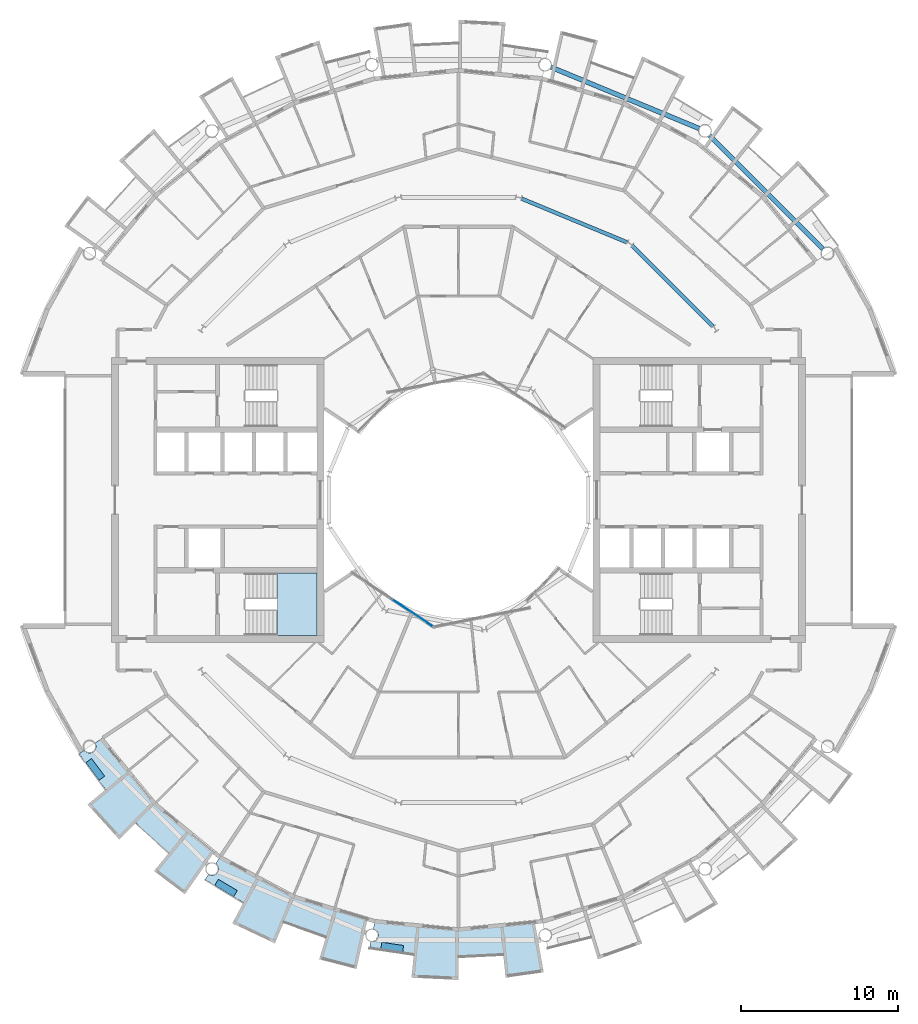
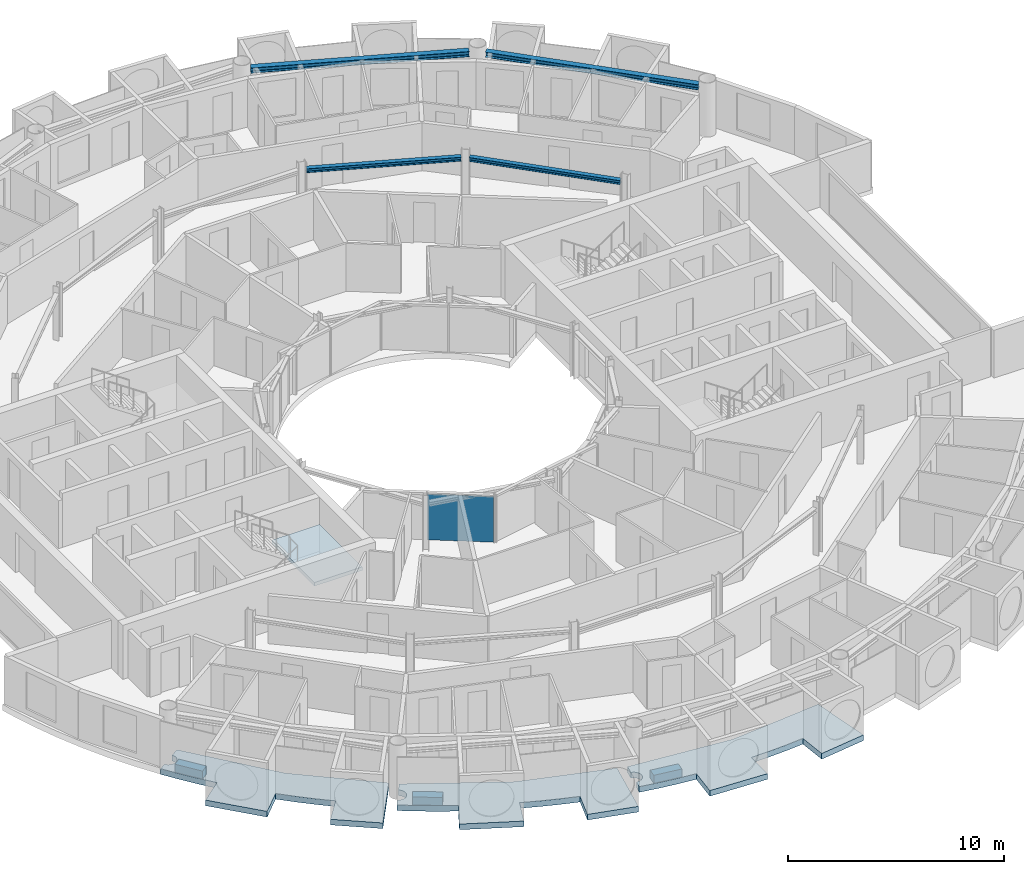
# One storey, part 11 of 28: 7 slabs, 4 beams, 1 plate, 2 elements without a shape of their own.
"""IFC4 building model written with IfcOpenShell, lengths in metres."""

from ifc_helpers import new_model, si_unit, direction, frame, origin, origin_2d, place, context, subcontext, project, spatial, polyline, rectangle, i_section, outline, extrude, material, layer, layer_set, material_profile, profile_set, type_object, element, aggregate, save


model = new_model("IFC4")

# Units and contexts
model_context = context("Model", 3, precision=1e-05, world=origin(), true_north=direction((0.0, 1.0)))
body_context = subcontext(model_context, "Body", "Model", "MODEL_VIEW")
ifc_project = project(units=[si_unit("LENGTHUNIT", "METRE"), si_unit("AREAUNIT", "SQUARE_METRE"), si_unit("VOLUMEUNIT", "CUBIC_METRE"), si_unit("PLANEANGLEUNIT", "RADIAN"), si_unit("MASSUNIT", "GRAM", prefix="KILO")], contexts=[model_context])

# Site, building, storey
site_placement = place(None, origin())
site = spatial("IfcSite", under=ifc_project, at=site_placement, CompositionType="ELEMENT")
building_placement = place(site_placement, origin())
building = spatial("IfcBuilding", under=site, at=building_placement, Name="Maasbend Ring Residences", CompositionType="ELEMENT")
storey_placement = place(building_placement, frame((0.0, 0.0, 196.300048828125)))
storey = spatial("IfcBuildingStorey", under=building, at=storey_placement, Name="L56", CompositionType="ELEMENT", Elevation=196.300048828125)

# Beams
ifc_material_1 = material(Name="Steel S355J2", Category="steel")
ifc_material_profile_1 = material_profile(ifc_material_1, i_section(OverallWidth=0.239990234375, OverallDepth=0.22998046875, WebThickness=0.007568359375, FlangeThickness=0.011962890625, FilletRadius=0.02099609375, at=origin_2d()), Name="HEA 240")
ifc_profile_set_1 = profile_set([ifc_material_profile_1], Name="Steel S355J2")
beam_type_1 = type_object("IfcBeamType", Name="Corridor ring beam HEA 240", PredefinedType="BEAM", material=ifc_profile_set_1)
beam_1_placement = place(storey_placement, frame((16.152587890625, 11.033447265625, 2.5849609375), z_axis=(-0.707106781187, 0.707106781187, 0.0), x_axis=(-0.707106781187, -0.707106781187, 0.0)))
element("IfcBeam", 1, at=beam_1_placement, inside=storey, type_object=beam_type_1, Name="Corridor ring beam", PredefinedType="BEAM", context=body_context, shape_type="SweptSolid", body=[
    extrude(i_section(OverallWidth=0.239990234375, OverallDepth=0.22998046875, WebThickness=0.007568359375, FlangeThickness=0.011962890625, FilletRadius=0.02099609375, at=origin_2d()), origin(), (0.0, 0.0, 1.0), 7.239501953125),
])
beam_2_placement = place(storey_placement, frame((10.70068359375, 16.374755859375, 2.5849609375), z_axis=(-0.923865162022, 0.382718123952, 0.0), x_axis=(-0.382718123952, -0.923865162022, 0.0)))
element("IfcBeam", 2, at=beam_2_placement, inside=storey, type_object=beam_type_1, Name="Corridor ring beam", PredefinedType="BEAM", context=body_context, shape_type="SweptSolid", body=[
    extrude(i_section(OverallWidth=0.239990234375, OverallDepth=0.22998046875, WebThickness=0.007568359375, FlangeThickness=0.011962890625, FilletRadius=0.02099609375, at=origin_2d()), origin(), (0.0, 0.0, 1.0), 7.23974609375),
])
ifc_material_2 = material(Name="Steel S355J2", Category="steel")
ifc_material_profile_2 = material_profile(ifc_material_2, i_section(OverallWidth=0.300048828125, OverallDepth=0.300048828125, WebThickness=0.010986328125, FlangeThickness=0.01904296875, FilletRadius=0.027099609375, at=origin_2d()), Name="HEB 300")
ifc_profile_set_2 = profile_set([ifc_material_profile_2], Name="Steel S355J2")
beam_type_2 = type_object("IfcBeamType", Name="Spandrel ring beam HEB 300", PredefinedType="SPANDREL", material=ifc_profile_set_2)
for number, where, z_axis, x_axis, name in (
    (3, (23.159912109375, 15.95458984375, 2.550048828125), (-0.707106781187, 0.707106781187, 0.0), (-0.707106781187, -0.707106781187, 0.0), "Spandrel ring beam"),
    (4, (15.29150390625, 23.60302734375, 2.550048828125), (-0.923883676188, 0.382673428492, 0.0), (-0.382673428492, -0.923883676188, 0.0), "Spandrel ring beam"),
):
    element("IfcBeam", number, at=place(storey_placement, frame(where, z_axis=z_axis, x_axis=x_axis)), inside=storey, type_object=beam_type_2, Name=name, PredefinedType="SPANDREL", context=body_context, shape_type="SweptSolid", body=[
        extrude(i_section(OverallWidth=0.300048828125, OverallDepth=0.300048828125, WebThickness=0.010986328125, FlangeThickness=0.01904296875, FilletRadius=0.027099609375, at=origin_2d()), origin(), (0.0, 0.0, 1.0), 10.18994140625),
    ])

# Stair, slab
ifc_material_3 = material(Name="Concrete C40/50", Category="concrete")
stair_type = type_object("IfcStairType", Name="CORE STAIR 18 RISERS", PredefinedType="HALF_TURN_STAIR", material=ifc_material_3)
stair_placement = place(storey_placement, origin())
stair = element("IfcStair", 5, at=stair_placement, inside=storey, type_object=stair_type, Name="L56 Exit stair ST-W1", PredefinedType="HALF_TURN_STAIR")
ifc_material_4 = material(Name="Concrete C40/50", Category="concrete")
ifc_layer_1 = layer(ifc_material_4, 0.199951171875)
ifc_layer_set_1 = layer_set([ifc_layer_1], Name="Concrete C40/50")
slab_type_1 = type_object("IfcSlabType", Name="CORE STAIR LANDING 200", PredefinedType="LANDING", material=ifc_layer_set_1)
slab_1_placement = place(storey_placement, frame((0.0, 0.0, 1.324951171875)))
slab_1 = element("IfcSlab", 6, at=slab_1_placement, type_object=slab_type_1, Name="ST-W1 landing 1", PredefinedType="LANDING", context=body_context, shape_type="SweptSolid", body=[
    extrude(outline(polyline([(-11.550048828125, -8.60009765625), (-9.0, -8.60009765625), (-9.0, -4.64990234375), (-11.550048828125, -4.64990234375), (-11.550048828125, -8.60009765625)])), origin(), (0.0, 0.0, 1.0), 0.199951171875),
])
aggregate(stair, [slab_1])

# Curtain wall, plate
ifc_material_5 = material(Name="Aluminium and clear glass", Category="aluminium")
ifc_layer_2 = layer(ifc_material_5, 0.179931640625)
ifc_layer_set_2 = layer_set([ifc_layer_2], Name="CW-W")
curtain_wall_type = type_object("IfcCurtainWallType", Name="CW-W", PredefinedType="NOTDEFINED", material=ifc_layer_set_2)
curtain_wall_placement = place(storey_placement, origin())
curtain_wall = element("IfcCurtainWall", 7, at=curtain_wall_placement, inside=storey, type_object=curtain_wall_type, Name="Well curtain wall S1", PredefinedType="NOTDEFINED")
ifc_material_6 = material(Name="Glass clear laminated", Category="glass")
ifc_layer_3 = layer(ifc_material_6, 0.031982421875)
ifc_layer_set_3 = layer_set([ifc_layer_3], Name="CWP-W")
plate_type = type_object("IfcPlateType", Name="CWP-W", PredefinedType="CURTAIN_PANEL", material=ifc_layer_set_3)
plate_placement = place(storey_placement, frame((-2.922119140625, -7.17578125, 0.0), z_axis=(0.0, 0.0, 1.0), x_axis=(0.831469612303, -0.55557023302, 0.0)))
plate = element("IfcPlate", 8, at=plate_placement, type_object=plate_type, Name="Glass panel well face", PredefinedType="CURTAIN_PANEL", context=body_context, shape_type="SweptSolid", body=[
    extrude(rectangle(XDim=3.053955078125, YDim=0.031982421875, at=origin_2d()), origin(), (0.0, 0.0, 1.0), 2.580078125),
])
aggregate(curtain_wall, [plate])

# Slabs
ifc_material_7 = material(Name="Planting with climbing greenery")
ifc_layer_4 = layer(ifc_material_7, 0.449951171875)
ifc_layer_set_4 = layer_set([ifc_layer_4], Name="PLANTER-LG")
slab_type_2 = type_object("IfcSlabType", Name="PLANTER-LG", PredefinedType="USERDEFINED", material=ifc_layer_set_4)
slab_2_placement = place(storey_placement, frame((0.0, 0.0, -0.030029296875)))
element("IfcSlab", 9, at=slab_2_placement, inside=storey, type_object=slab_type_2, Name="Planter with climbing greenery 1", ObjectType="PLANTER", PredefinedType="USERDEFINED", context=body_context, shape_type="SweptSolid", body=[
    extrude(outline(polyline([(-23.681884765625, -16.69189453125), (-22.847900390625, -17.81689453125), (-22.487060546875, -17.549072265625), (-23.321044921875, -16.424072265625), (-23.681884765625, -16.69189453125)])), origin(), (0.0, 0.0, 1.0), 0.449951171875),
])
slab_3_placement = place(storey_placement, frame((0.0, 0.0, -0.030029296875)))
element("IfcSlab", 10, at=slab_3_placement, inside=storey, type_object=slab_type_2, Name="Planter with climbing greenery 2", ObjectType="PLANTER", PredefinedType="USERDEFINED", context=body_context, shape_type="SweptSolid", body=[
    extrude(outline(polyline([(-15.490966796875, -24.48388671875), (-14.291015625, -25.2041015625), (-14.05908203125, -24.818115234375), (-15.260009765625, -24.097900390625), (-15.490966796875, -24.48388671875)])), origin(), (0.0, 0.0, 1.0), 0.449951171875),
])
slab_4_placement = place(storey_placement, frame((0.0, 0.0, -0.030029296875)))
element("IfcSlab", 11, at=slab_4_placement, inside=storey, type_object=slab_type_2, Name="Planter with climbing greenery 3", ObjectType="PLANTER", PredefinedType="USERDEFINED", context=body_context, shape_type="SweptSolid", body=[
    extrude(outline(polyline([(-4.94189453125, -28.549072265625), (-3.55810546875, -28.75390625), (-3.491943359375, -28.30908203125), (-4.8759765625, -28.10400390625), (-4.94189453125, -28.549072265625)])), origin(), (0.0, 0.0, 1.0), 0.449951171875),
])
ifc_material_8 = material(Name="Concrete C40/50", Category="concrete")
ifc_layer_5 = layer(ifc_material_8, 0.199951171875)
ifc_layer_set_5 = layer_set([ifc_layer_5], Name="Concrete C40/50")
slab_type_3 = type_object("IfcSlabType", Name="SL-LOGGIA", PredefinedType="FLOOR", material=ifc_layer_set_5)
slab_5_placement = place(storey_placement, frame((0.0, 0.0, -0.35009765625)))
element("IfcSlab", 12, at=slab_5_placement, inside=storey, type_object=slab_type_3, Name="Loggia floor 1", PredefinedType="FLOOR", context=body_context, shape_type="SweptSolid", body=[
    extrude(outline(polyline([(-15.866943359375, -23.801025390625), (-15.85888671875, -23.805908203125), (-15.85009765625, -23.81005859375), (-15.841064453125, -23.81494140625), (-15.83203125, -23.819091796875), (-15.822998046875, -23.822998046875), (-15.81298828125, -23.826904296875), (-15.803955078125, -23.830078125), (-15.794921875, -23.8330078125), (-15.784912109375, -23.8359375), (-15.77587890625, -23.839111328125), (-15.76611328125, -23.842041015625), (-15.756103515625, -23.843994140625), (-15.74609375, -23.845947265625), (-15.737060546875, -23.847900390625), (-15.72705078125, -23.85009765625), (-15.717041015625, -23.85107421875), (-15.70703125, -23.85205078125), (-15.697021484375, -23.85302734375), (-15.68701171875, -23.85302734375), (-15.677001953125, -23.85400390625), (-15.6669921875, -23.85400390625), (-15.656982421875, -23.85400390625), (-15.64697265625, -23.85302734375), (-15.636962890625, -23.85302734375), (-15.626953125, -23.85205078125), (-15.616943359375, -23.85107421875), (-15.60693359375, -23.85009765625), (-15.597900390625, -23.847900390625), (-15.587890625, -23.845947265625), (-15.577880859375, -23.843994140625), (-15.568115234375, -23.842041015625), (-15.55908203125, -23.839111328125), (-15.549072265625, -23.8359375), (-15.5400390625, -23.8330078125), (-15.530029296875, -23.830078125), (-15.52099609375, -23.826904296875), (-15.511962890625, -23.822998046875), (-15.501953125, -23.819091796875), (-15.492919921875, -23.81494140625), (-15.48388671875, -23.81005859375), (-15.47509765625, -23.805908203125), (-15.467041015625, -23.801025390625), (-15.4580078125, -23.7958984375), (-15.449951171875, -23.791015625), (-15.44091796875, -23.784912109375), (-15.43310546875, -23.780029296875), (-15.425048828125, -23.77392578125), (-15.4169921875, -23.76806640625), (-15.408935546875, -23.761962890625), (-15.402099609375, -23.7548828125), (-15.39404296875, -23.7490234375), (-15.386962890625, -23.741943359375), (-15.3798828125, -23.735107421875), (-15.373046875, -23.72802734375), (-15.365966796875, -23.719970703125), (-15.35888671875, -23.712890625), (-15.35302734375, -23.705078125), (-15.346923828125, -23.697021484375), (-15.341064453125, -23.68994140625), (-15.3349609375, -23.680908203125), (-15.3291015625, -23.673095703125), (-15.323974609375, -23.6650390625), (-15.318115234375, -23.656005859375), (-15.31298828125, -23.64794921875), (-15.30908203125, -23.638916015625), (-15.303955078125, -23.6298828125), (-15.300048828125, -23.62109375), (-15.294921875, -23.612060546875), (-15.2919921875, -23.60302734375), (-15.2880859375, -23.593994140625), (-15.283935546875, -23.583984375), (-15.281005859375, -23.574951171875), (-15.278076171875, -23.56494140625), (-15.27490234375, -23.555908203125), (-15.27294921875, -23.5458984375), (-15.27001953125, -23.535888671875), (-15.26806640625, -23.527099609375), (-15.26708984375, -23.51708984375), (-15.264892578125, -23.507080078125), (-15.263916015625, -23.4970703125), (-15.262939453125, -23.487060546875), (-15.261962890625, -23.47705078125), (-15.260986328125, -23.467041015625), (-15.260986328125, -23.45703125), (-15.260986328125, -23.447021484375), (-15.260986328125, -23.43701171875), (-15.260986328125, -23.427001953125), (-15.261962890625, -23.4169921875), (-15.262939453125, -23.407958984375), (-15.263916015625, -23.39794921875), (-15.264892578125, -23.387939453125), (-15.26708984375, -23.3779296875), (-15.26806640625, -23.367919921875), (-15.27001953125, -23.35791015625), (-15.27294921875, -23.34912109375), (-15.27490234375, -23.339111328125), (-15.278076171875, -23.3291015625), (-15.281005859375, -23.320068359375), (-15.283935546875, -23.31005859375), (-15.2880859375, -23.301025390625), (-15.2919921875, -23.2919921875), (-15.294921875, -23.282958984375), (-15.300048828125, -23.27392578125), (-15.303955078125, -23.264892578125), (-15.30908203125, -23.256103515625), (-15.31298828125, -23.2470703125), (-15.318115234375, -23.238037109375), (-15.323974609375, -23.22998046875), (-15.3291015625, -23.221923828125), (-15.3349609375, -23.212890625), (-15.341064453125, -23.205078125), (-15.346923828125, -23.197021484375), (-15.35302734375, -23.18994140625), (-15.35888671875, -23.181884765625), (-15.365966796875, -23.174072265625), (-15.373046875, -23.1669921875), (-15.3798828125, -23.159912109375), (-15.386962890625, -23.153076171875), (-15.39404296875, -23.14599609375), (-15.402099609375, -23.139892578125), (-15.408935546875, -23.133056640625), (-15.4169921875, -23.126953125), (-15.425048828125, -23.12109375), (-15.43310546875, -23.114990234375), (-15.44091796875, -23.10888671875), (-15.1669921875, -22.698974609375), (-15.1669921875, -22.698974609375), (-15.1669921875, -22.698974609375), (-12.806884765625, -23.9609375), (-10.447021484375, -25.221923828125), (-10.447021484375, -25.221923828125), (-10.447021484375, -25.221923828125), (-7.886962890625, -25.9990234375), (-5.797119140625, -26.633056640625), (-5.797119140625, -26.633056640625), (-5.797119140625, -26.633056640625), (-6.487060546875, -29.802001953125), (-6.487060546875, -29.802001953125), (-6.487060546875, -29.802001953125), (-8.85400390625, -29.18701171875), (-8.85400390625, -29.18701171875), (-8.85400390625, -29.18701171875), (-8.41796875, -27.751953125), (-8.41796875, -27.751953125), (-8.41796875, -27.751953125), (-8.41796875, -27.751953125), (-8.41796875, -27.751953125), (-8.41796875, -27.751953125), (-8.41796875, -27.7509765625), (-8.41796875, -27.7509765625), (-8.41796875, -27.7509765625), (-8.41796875, -27.7509765625), (-8.41796875, -27.7509765625), (-8.4189453125, -27.7509765625), (-8.4189453125, -27.7509765625), (-8.4189453125, -27.7509765625), (-8.4189453125, -27.7509765625), (-8.4189453125, -27.7509765625), (-8.4189453125, -27.7509765625), (-9.322021484375, -27.4609375), (-9.322021484375, -27.4609375), (-10.215087890625, -27.14111328125), (-10.215087890625, -27.14111328125), (-11.096923828125, -26.79296875), (-11.096923828125, -26.79296875), (-11.096923828125, -26.79296875), (-11.097900390625, -26.79296875), (-11.097900390625, -26.79296875), (-11.097900390625, -26.79296875), (-11.097900390625, -26.79296875), (-11.097900390625, -26.79296875), (-11.097900390625, -26.79296875), (-11.097900390625, -26.79296875), (-11.097900390625, -26.79296875), (-11.097900390625, -26.79296875), (-11.097900390625, -26.79296875), (-11.097900390625, -26.79296875), (-11.097900390625, -26.79296875), (-11.097900390625, -26.79296875), (-11.097900390625, -26.79296875), (-11.672119140625, -28.177978515625), (-11.672119140625, -28.177978515625), (-11.672119140625, -28.177978515625), (-14.3779296875, -26.89892578125), (-14.3779296875, -26.89892578125), (-14.3779296875, -26.89892578125), (-13.6708984375, -25.575927734375), (-13.6708984375, -25.575927734375), (-13.6708984375, -25.575927734375), (-13.6708984375, -25.575927734375), (-13.6708984375, -25.575927734375), (-13.6708984375, -25.575927734375), (-13.6708984375, -25.575927734375), (-13.6708984375, -25.575927734375), (-13.6708984375, -25.575927734375), (-13.6708984375, -25.575927734375), (-13.6708984375, -25.575927734375), (-13.6708984375, -25.575927734375), (-13.6708984375, -25.575927734375), (-13.6708984375, -25.575927734375), (-13.6708984375, -25.575927734375), (-13.6708984375, -25.575927734375), (-13.6708984375, -25.574951171875), (-14.5, -25.114990234375), (-14.5, -25.114990234375), (-15.31396484375, -24.626953125), (-15.31396484375, -24.626953125), (-16.112060546875, -24.113037109375), (-16.112060546875, -24.113037109375), (-16.112060546875, -24.113037109375), (-15.89306640625, -23.784912109375), (-15.885009765625, -23.791015625), (-15.8759765625, -23.7958984375), (-15.866943359375, -23.801025390625)])), origin(), (0.0, 0.0, 1.0), 0.320068359375),
])
slab_6_placement = place(storey_placement, frame((0.0, 0.0, -0.35009765625)))
element("IfcSlab", 13, at=slab_6_placement, inside=storey, type_object=slab_type_3, Name="Loggia floor 3", PredefinedType="FLOOR", context=body_context, shape_type="SweptSolid", body=[
    extrude(outline(polyline([(-2.6630859375, -27.0380859375), (0.0, -27.300048828125), (0.0, -27.300048828125), (0.0, -27.300048828125), (2.6630859375, -27.0380859375), (4.8359375, -26.823974609375), (4.8359375, -26.823974609375), (4.8359375, -26.823974609375), (5.412109375, -30.01611328125), (5.412109375, -30.01611328125), (5.412109375, -30.01611328125), (2.989990234375, -30.35302734375), (2.989990234375, -30.35302734375), (2.989990234375, -30.35302734375), (2.843017578125, -28.861083984375), (2.843017578125, -28.861083984375), (2.843017578125, -28.861083984375), (2.843017578125, -28.861083984375), (2.842041015625, -28.861083984375), (2.842041015625, -28.861083984375), (2.842041015625, -28.861083984375), (2.842041015625, -28.861083984375), (2.842041015625, -28.861083984375), (2.842041015625, -28.860107421875), (2.842041015625, -28.860107421875), (2.842041015625, -28.860107421875), (2.842041015625, -28.860107421875), (2.842041015625, -28.860107421875), (2.842041015625, -28.860107421875), (2.842041015625, -28.860107421875), (2.842041015625, -28.860107421875), (1.89697265625, -28.93798828125), (1.89697265625, -28.93798828125), (0.948974609375, -28.98388671875), (0.948974609375, -28.98388671875), (0.0, -29.0), (0.0, -29.0), (0.0, -29.0), (0.0, -29.0), (0.0, -29.0), (0.0, -29.0), (0.0, -29.0), (0.0, -29.0), (0.0, -29.0), (0.0, -29.0), (0.0, -29.0), (0.0, -29.0), (0.0, -29.0), (0.0, -29.0), (0.0, -29.0), (0.0, -29.0), (0.0, -29.0), (0.0, -30.5), (0.0, -30.5), (0.0, -30.5), (-2.989990234375, -30.35302734375), (-2.989990234375, -30.35302734375), (-2.989990234375, -30.35302734375), (-2.843017578125, -28.861083984375), (-2.843017578125, -28.861083984375), (-2.843017578125, -28.861083984375), (-2.843017578125, -28.861083984375), (-2.843017578125, -28.861083984375), (-2.843017578125, -28.861083984375), (-2.843017578125, -28.861083984375), (-2.843017578125, -28.861083984375), (-2.843017578125, -28.860107421875), (-2.843017578125, -28.860107421875), (-2.843017578125, -28.860107421875), (-2.843017578125, -28.860107421875), (-2.843017578125, -28.860107421875), (-2.843017578125, -28.860107421875), (-2.843017578125, -28.860107421875), (-2.843017578125, -28.860107421875), (-2.843017578125, -28.860107421875), (-3.784912109375, -28.751953125), (-3.784912109375, -28.751953125), (-4.72412109375, -28.613037109375), (-4.72412109375, -28.613037109375), (-5.657958984375, -28.443115234375), (-5.657958984375, -28.443115234375), (-5.657958984375, -28.443115234375), (-5.5810546875, -28.056884765625), (-5.5810546875, -28.056884765625), (-5.571044921875, -28.05908203125), (-5.56103515625, -28.06005859375), (-5.551025390625, -28.06201171875), (-5.541015625, -28.06298828125), (-5.531005859375, -28.06298828125), (-5.52099609375, -28.06396484375), (-5.510986328125, -28.06396484375), (-5.501953125, -28.06494140625), (-5.491943359375, -28.06396484375), (-5.48193359375, -28.06396484375), (-5.471923828125, -28.06298828125), (-5.4619140625, -28.06298828125), (-5.451904296875, -28.06201171875), (-5.44189453125, -28.06005859375), (-5.431884765625, -28.05908203125), (-5.422119140625, -28.056884765625), (-5.412109375, -28.054931640625), (-5.403076171875, -28.052001953125), (-5.39306640625, -28.050048828125), (-5.383056640625, -28.047119140625), (-5.3740234375, -28.0439453125), (-5.364990234375, -28.041015625), (-5.35498046875, -28.037109375), (-5.345947265625, -28.033935546875), (-5.3369140625, -28.030029296875), (-5.327880859375, -28.02587890625), (-5.319091796875, -28.02099609375), (-5.31005859375, -28.01708984375), (-5.301025390625, -28.011962890625), (-5.29296875, -28.007080078125), (-5.283935546875, -28.001953125), (-5.27587890625, -27.99609375), (-5.26708984375, -27.989990234375), (-5.259033203125, -27.985107421875), (-5.2509765625, -27.97900390625), (-5.243896484375, -27.971923828125), (-5.236083984375, -27.966064453125), (-5.22900390625, -27.958984375), (-5.220947265625, -27.952880859375), (-5.214111328125, -27.946044921875), (-5.20703125, -27.93798828125), (-5.199951171875, -27.930908203125), (-5.194091796875, -27.924072265625), (-5.18701171875, -27.916015625), (-5.180908203125, -27.907958984375), (-5.175048828125, -27.89990234375), (-5.1689453125, -27.89208984375), (-5.1640625, -27.884033203125), (-5.157958984375, -27.8759765625), (-5.153076171875, -27.866943359375), (-5.14794921875, -27.85791015625), (-5.14306640625, -27.85009765625), (-5.137939453125, -27.841064453125), (-5.134033203125, -27.83203125), (-5.1298828125, -27.822998046875), (-5.1259765625, -27.81396484375), (-5.1220703125, -27.803955078125), (-5.118896484375, -27.794921875), (-5.115966796875, -27.785888671875), (-5.113037109375, -27.77587890625), (-5.110107421875, -27.76708984375), (-5.10693359375, -27.757080078125), (-5.10498046875, -27.7470703125), (-5.10302734375, -27.737060546875), (-5.10107421875, -27.72802734375), (-5.09912109375, -27.718017578125), (-5.097900390625, -27.7080078125), (-5.096923828125, -27.697998046875), (-5.095947265625, -27.68798828125), (-5.094970703125, -27.677978515625), (-5.094970703125, -27.66796875), (-5.094970703125, -27.657958984375), (-5.094970703125, -27.64794921875), (-5.094970703125, -27.637939453125), (-5.095947265625, -27.6279296875), (-5.096923828125, -27.617919921875), (-5.097900390625, -27.60791015625), (-5.09912109375, -27.597900390625), (-5.10107421875, -27.589111328125), (-5.10302734375, -27.5791015625), (-5.10498046875, -27.569091796875), (-5.10693359375, -27.55908203125), (-5.110107421875, -27.550048828125), (-5.113037109375, -27.5400390625), (-5.115966796875, -27.531005859375), (-5.118896484375, -27.52099609375), (-5.1220703125, -27.511962890625), (-5.1259765625, -27.5029296875), (-5.1298828125, -27.492919921875), (-5.134033203125, -27.48388671875), (-5.137939453125, -27.47509765625), (-5.14306640625, -27.466064453125), (-5.14794921875, -27.4580078125), (-5.153076171875, -27.448974609375), (-5.157958984375, -27.44091796875), (-5.1640625, -27.431884765625), (-5.1689453125, -27.424072265625), (-5.175048828125, -27.416015625), (-5.180908203125, -27.407958984375), (-5.18701171875, -27.39990234375), (-5.194091796875, -27.39306640625), (-5.199951171875, -27.385009765625), (-5.20703125, -27.3779296875), (-5.214111328125, -27.37109375), (-5.220947265625, -27.364013671875), (-5.22900390625, -27.35693359375), (-5.236083984375, -27.35009765625), (-5.243896484375, -27.343994140625), (-5.2509765625, -27.337890625), (-5.259033203125, -27.33203125), (-5.26708984375, -27.325927734375), (-5.27587890625, -27.320068359375), (-5.283935546875, -27.31494140625), (-5.29296875, -27.30908203125), (-5.301025390625, -27.303955078125), (-5.31005859375, -27.300048828125), (-5.319091796875, -27.294921875), (-5.327880859375, -27.291015625), (-5.3369140625, -27.285888671875), (-5.345947265625, -27.282958984375), (-5.35498046875, -27.279052734375), (-5.364990234375, -27.27490234375), (-5.3740234375, -27.27197265625), (-5.383056640625, -27.26904296875), (-5.39306640625, -27.26611328125), (-5.403076171875, -27.263916015625), (-5.412109375, -27.260986328125), (-5.422119140625, -27.259033203125), (-5.422119140625, -27.259033203125), (-5.325927734375, -26.77490234375), (-5.325927734375, -26.77490234375), (-5.325927734375, -26.77490234375), (-2.6630859375, -27.0380859375)])), origin(), (0.0, 0.0, 1.0), 0.320068359375),
])
slab_7_placement = place(storey_placement, frame((0.0, 0.0, -0.35009765625)))
element("IfcSlab", 14, at=slab_7_placement, inside=storey, type_object=slab_type_3, Name="Loggia floor 4", PredefinedType="FLOOR", context=body_context, shape_type="SweptSolid", body=[
    extrude(outline(polyline([(-23.77392578125, -15.908935546875), (-23.76806640625, -15.9169921875), (-23.761962890625, -15.925048828125), (-23.7548828125, -15.93310546875), (-23.7490234375, -15.93994140625), (-23.741943359375, -15.947021484375), (-23.735107421875, -15.955078125), (-23.72802734375, -15.9619140625), (-23.719970703125, -15.968017578125), (-23.712890625, -15.97509765625), (-23.705078125, -15.98095703125), (-23.697021484375, -15.988037109375), (-23.68994140625, -15.993896484375), (-23.680908203125, -15.9990234375), (-23.673095703125, -16.0048828125), (-23.6650390625, -16.010986328125), (-23.656005859375, -16.01611328125), (-23.64794921875, -16.02099609375), (-23.638916015625, -16.02587890625), (-23.6298828125, -16.030029296875), (-23.62109375, -16.034912109375), (-23.612060546875, -16.0390625), (-23.60302734375, -16.04296875), (-23.593994140625, -16.0458984375), (-23.583984375, -16.050048828125), (-23.574951171875, -16.052978515625), (-23.56494140625, -16.055908203125), (-23.555908203125, -16.05908203125), (-23.5458984375, -16.06103515625), (-23.535888671875, -16.06396484375), (-23.527099609375, -16.06591796875), (-23.51708984375, -16.068115234375), (-23.507080078125, -16.069091796875), (-23.4970703125, -16.071044921875), (-23.487060546875, -16.072021484375), (-23.47705078125, -16.072021484375), (-23.467041015625, -16.072998046875), (-23.45703125, -16.072998046875), (-23.447021484375, -16.073974609375), (-23.43701171875, -16.072998046875), (-23.427001953125, -16.072998046875), (-23.4169921875, -16.072021484375), (-23.407958984375, -16.072021484375), (-23.39794921875, -16.071044921875), (-23.387939453125, -16.069091796875), (-23.3779296875, -16.068115234375), (-23.367919921875, -16.06591796875), (-23.35791015625, -16.06396484375), (-23.34912109375, -16.06103515625), (-23.339111328125, -16.05908203125), (-23.3291015625, -16.055908203125), (-23.320068359375, -16.052978515625), (-23.31005859375, -16.050048828125), (-23.301025390625, -16.0458984375), (-23.2919921875, -16.04296875), (-23.282958984375, -16.0390625), (-23.27392578125, -16.034912109375), (-23.264892578125, -16.030029296875), (-23.256103515625, -16.02587890625), (-23.2470703125, -16.02099609375), (-23.238037109375, -16.01611328125), (-23.22998046875, -16.010986328125), (-23.221923828125, -16.0048828125), (-23.212890625, -15.9990234375), (-23.205078125, -15.993896484375), (-23.197021484375, -15.988037109375), (-23.18994140625, -15.98095703125), (-23.181884765625, -15.97509765625), (-23.174072265625, -15.968017578125), (-23.1669921875, -15.9619140625), (-23.159912109375, -15.955078125), (-23.153076171875, -15.947021484375), (-23.14599609375, -15.93994140625), (-23.139892578125, -15.93310546875), (-23.133056640625, -15.925048828125), (-23.126953125, -15.9169921875), (-23.12109375, -15.908935546875), (-23.114990234375, -15.90087890625), (-23.10888671875, -15.89306640625), (-23.10400390625, -15.885009765625), (-23.09912109375, -15.8759765625), (-23.093994140625, -15.866943359375), (-23.089111328125, -15.85888671875), (-23.083984375, -15.85009765625), (-23.080078125, -15.841064453125), (-23.075927734375, -15.83203125), (-23.072021484375, -15.822998046875), (-23.068115234375, -15.81298828125), (-23.06494140625, -15.803955078125), (-23.06103515625, -15.794921875), (-23.05810546875, -15.784912109375), (-23.055908203125, -15.77587890625), (-23.052978515625, -15.76611328125), (-23.051025390625, -15.756103515625), (-23.049072265625, -15.74609375), (-23.047119140625, -15.737060546875), (-23.044921875, -15.72705078125), (-23.0439453125, -15.717041015625), (-23.04296875, -15.70703125), (-23.0419921875, -15.697021484375), (-23.041015625, -15.68701171875), (-23.041015625, -15.677001953125), (-23.041015625, -15.6669921875), (-23.041015625, -15.656982421875), (-23.041015625, -15.64697265625), (-23.0419921875, -15.636962890625), (-23.04296875, -15.626953125), (-23.0439453125, -15.616943359375), (-23.044921875, -15.60693359375), (-23.047119140625, -15.597900390625), (-23.049072265625, -15.587890625), (-23.051025390625, -15.577880859375), (-23.052978515625, -15.568115234375), (-23.055908203125, -15.55908203125), (-23.05810546875, -15.549072265625), (-23.06103515625, -15.5400390625), (-23.06494140625, -15.530029296875), (-23.068115234375, -15.52099609375), (-23.072021484375, -15.511962890625), (-23.075927734375, -15.501953125), (-23.080078125, -15.492919921875), (-23.083984375, -15.48388671875), (-23.089111328125, -15.47509765625), (-23.093994140625, -15.467041015625), (-23.09912109375, -15.4580078125), (-23.10400390625, -15.449951171875), (-23.10888671875, -15.44091796875), (-23.10888671875, -15.44091796875), (-22.698974609375, -15.1669921875), (-22.698974609375, -15.1669921875), (-22.698974609375, -15.1669921875), (-21.001953125, -17.236083984375), (-19.303955078125, -19.303955078125), (-19.303955078125, -19.303955078125), (-19.303955078125, -19.303955078125), (-17.236083984375, -21.001953125), (-15.547119140625, -22.386962890625), (-15.547119140625, -22.386962890625), (-15.547119140625, -22.386962890625), (-17.39794921875, -25.051025390625), (-17.39794921875, -25.051025390625), (-17.39794921875, -25.051025390625), (-19.34912109375, -23.576904296875), (-19.34912109375, -23.576904296875), (-19.34912109375, -23.576904296875), (-18.39794921875, -22.41796875), (-18.39794921875, -22.41796875), (-18.39794921875, -22.41796875), (-18.39794921875, -22.41796875), (-18.39794921875, -22.41796875), (-18.39794921875, -22.4169921875), (-18.39794921875, -22.4169921875), (-18.39794921875, -22.4169921875), (-18.39794921875, -22.4169921875), (-18.39794921875, -22.4169921875), (-18.39794921875, -22.4169921875), (-18.39794921875, -22.4169921875), (-18.39794921875, -22.4169921875), (-18.39794921875, -22.4169921875), (-18.39794921875, -22.4169921875), (-18.39794921875, -22.4169921875), (-18.39794921875, -22.4169921875), (-19.12109375, -21.802978515625), (-19.12109375, -21.802978515625), (-19.823974609375, -21.166015625), (-19.823974609375, -21.166015625), (-20.506103515625, -20.506103515625), (-20.506103515625, -20.506103515625), (-20.506103515625, -20.506103515625), (-20.506103515625, -20.506103515625), (-20.506103515625, -20.506103515625), (-20.506103515625, -20.506103515625), (-20.506103515625, -20.506103515625), (-20.506103515625, -20.506103515625), (-20.506103515625, -20.506103515625), (-20.506103515625, -20.506103515625), (-20.506103515625, -20.506103515625), (-20.506103515625, -20.506103515625), (-20.506103515625, -20.506103515625), (-20.506103515625, -20.506103515625), (-20.506103515625, -20.506103515625), (-20.506103515625, -20.506103515625), (-20.506103515625, -20.506103515625), (-21.56689453125, -21.56689453125), (-21.56689453125, -21.56689453125), (-21.56689453125, -21.56689453125), (-23.576904296875, -19.34912109375), (-23.576904296875, -19.34912109375), (-23.576904296875, -19.34912109375), (-22.41796875, -18.39794921875), (-22.41796875, -18.39794921875), (-22.41796875, -18.39794921875), (-22.41796875, -18.39794921875), (-22.41796875, -18.39794921875), (-22.41796875, -18.39794921875), (-22.41796875, -18.39697265625), (-22.41796875, -18.39697265625), (-22.41796875, -18.39697265625), (-22.41796875, -18.39697265625), (-22.41796875, -18.39697265625), (-22.41796875, -18.39697265625), (-22.41796875, -18.39697265625), (-22.41796875, -18.39697265625), (-22.41796875, -18.39697265625), (-22.41796875, -18.39697265625), (-22.41796875, -18.39697265625), (-23.007080078125, -17.654052734375), (-23.007080078125, -17.654052734375), (-23.572998046875, -16.89208984375), (-23.572998046875, -16.89208984375), (-24.113037109375, -16.112060546875), (-24.113037109375, -16.112060546875), (-24.113037109375, -16.112060546875), (-23.784912109375, -15.89306640625), (-23.784912109375, -15.89306640625), (-23.780029296875, -15.90087890625), (-23.77392578125, -15.908935546875)])), origin(), (0.0, 0.0, 1.0), 0.320068359375),
])

save(model, "model.ifc")
